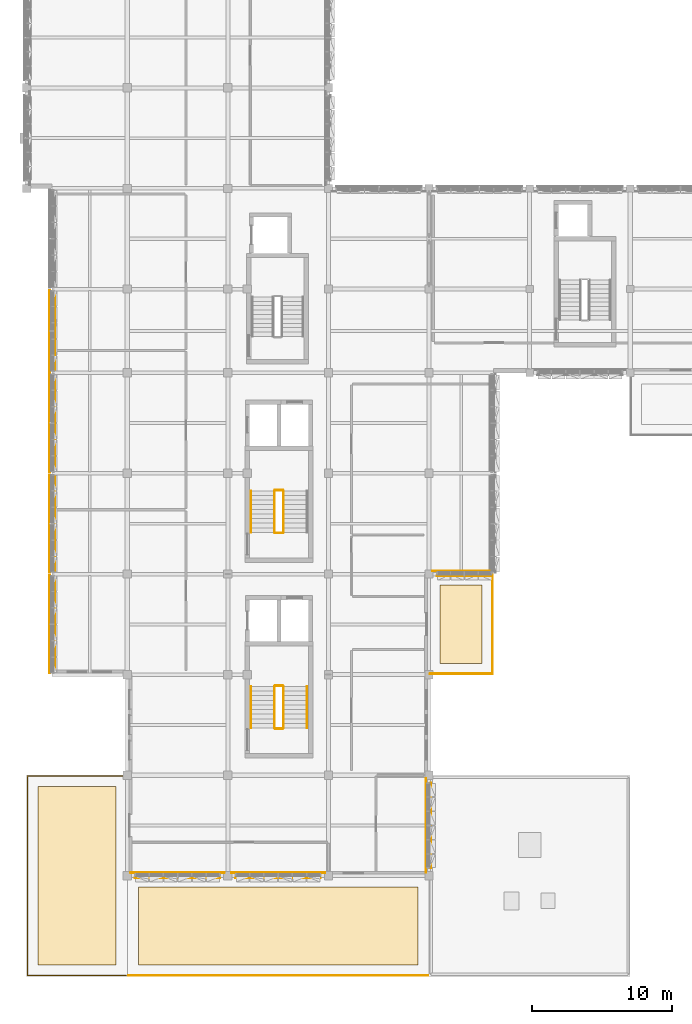
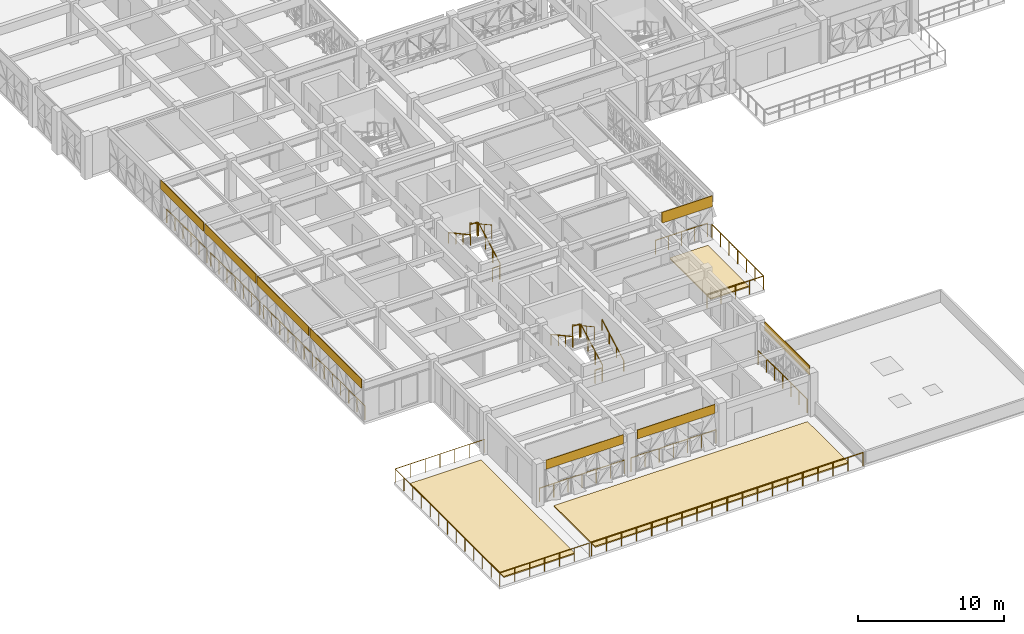
# One storey, part 60 of 74: 23 railings, 11 coverings.
"""IFC4 building model written with IfcOpenShell, lengths in metres."""

from ifc_helpers import new_model, si_unit, direction, frame, origin, origin_2d, place, context, subcontext, project, spatial, polyline, circle, outline, extrude, material, layer, layer_set, type_object, element, save


model = new_model("IFC4")

# Units and contexts
model_context = context("Model", 3, precision=1e-05, world=origin(), true_north=direction((0.0, 1.0)))
body_context = subcontext(model_context, "Body", "Model", "MODEL_VIEW")
ifc_project = project(units=[si_unit("LENGTHUNIT", "METRE"), si_unit("AREAUNIT", "SQUARE_METRE"), si_unit("VOLUMEUNIT", "CUBIC_METRE"), si_unit("PLANEANGLEUNIT", "RADIAN"), si_unit("MASSUNIT", "GRAM", prefix="KILO")], contexts=[model_context])

# Site, building, storey
site_placement = place(None, origin())
site = spatial("IfcSite", under=ifc_project, at=site_placement, CompositionType="ELEMENT")
building_placement = place(site_placement, origin())
building = spatial("IfcBuilding", under=site, at=building_placement, Name="Alvorim Cloister Faculty of Sciences", CompositionType="ELEMENT")
storey_placement = place(building_placement, frame((0.0, 0.0, 15.75)))
storey = spatial("IfcBuildingStorey", under=building, at=storey_placement, Name="L04", CompositionType="ELEMENT", Elevation=15.75)

# Coverings
ifc_material_1 = material(Name="Anodised Aluminium Alloy 6063-T6", Category="aluminium")
ifc_layer_1 = layer(ifc_material_1, 0.031982421875)
ifc_layer_set_1 = layer_set([ifc_layer_1], Name="Anodised Aluminium Alloy 6063-T6")
covering_type_1 = type_object("IfcCoveringType", Name="COV-FAC-CAS", PredefinedType="CLADDING", material=ifc_layer_set_1)
for number, where, z_axis, x_axis, name in (
    (1, (1.64990234375, 21.679931640625, 2.8369140625), (0.0, 0.0, 1.0), (0.0, 1.0, 0.0), "L04 Shifted Bar Slab-Edge Architectural Fascia"),
    (2, (1.64990234375, 28.8798828125, 2.8369140625), (0.0, 0.0, 1.0), (0.0, 1.0, 0.0), "L04 Shifted Bar Slab-Edge Architectural Fascia"),
    (3, (1.64990234375, 36.080078125, 2.8369140625), (0.0, 0.0, 1.0), (0.0, 1.0, 0.0), "L04 Shifted Bar Slab-Edge Architectural Fascia"),
):
    element("IfcCovering", number, at=place(storey_placement, frame(where, z_axis=z_axis, x_axis=x_axis)), inside=storey, type_object=covering_type_1, Name=name, PredefinedType="CLADDING", context=body_context, shape_type="SweptSolid", body=[
        extrude(outline(polyline([(0.0, 0.0), (7.0400390625, 0.0), (7.0400390625, 0.753173828125), (0.0, 0.753173828125), (0.0, 0.0)])), frame((0.0, 0.0224609375, 0.0), z_axis=(0.0, -1.0, 0.0), x_axis=(1.0, 0.0, 0.0)), (0.0, 0.0, 1.0), 0.044921875),
    ])
covering_1_placement = place(storey_placement, frame((1.64990234375, 43.280029296875, 2.8369140625), z_axis=(0.0, 0.0, 1.0), x_axis=(0.0, 1.0, 0.0)))
element("IfcCovering", 4, at=covering_1_placement, inside=storey, type_object=covering_type_1, Name="L04 Shifted Bar Slab-Edge Architectural Fascia", PredefinedType="CLADDING", context=body_context, shape_type="SweptSolid", body=[
    extrude(outline(polyline([(0.0, 0.0), (5.840087890625, 0.0), (5.840087890625, 0.753173828125), (0.0, 0.753173828125), (0.0, 0.0)])), frame((0.0, 0.0224609375, 0.0), z_axis=(0.0, -1.0, 0.0), x_axis=(1.0, 0.0, 0.0)), (0.0, 0.0, 1.0), 0.044921875),
])
covering_2_placement = place(storey_placement, frame((29.340087890625, 28.64990234375, 2.68603515625), z_axis=(0.0, 0.0, 1.0), x_axis=(1.0, 0.0, 0.0)))
element("IfcCovering", 5, at=covering_2_placement, inside=storey, type_object=covering_type_1, Name="L04 Shifted Bar Slab-Edge Architectural Fascia", PredefinedType="CLADDING", context=body_context, shape_type="SweptSolid", body=[
    extrude(outline(polyline([(0.0, 0.0), (3.97998046875, 0.0), (3.97998046875, 0.904052734375), (0.0, 0.904052734375), (0.0, 0.0)])), frame((0.0, 0.0224609375, 0.0), z_axis=(0.0, -1.0, 0.0), x_axis=(1.0, 0.0, 0.0)), (0.0, 0.0, 1.0), 0.044921875),
])
for number, where, z_axis, x_axis, name in (
    (6, (28.949951171875, 7.739990234375, 2.830078125), (0.0, 0.0, 1.0), (0.0, 1.0, 0.0), "L04 Shifted Bar Slab-Edge Architectural Fascia"),
    (7, (14.93994140625, 7.050048828125, 2.830078125), (0.0, 0.0, 1.0), (1.0, 0.0, 0.0), "L04 Shifted Bar Slab-Edge Architectural Fascia"),
    (8, (7.739990234375, 7.050048828125, 2.830078125), (0.0, 0.0, 1.0), (1.0, 0.0, 0.0), "L04 Shifted Bar Slab-Edge Architectural Fascia"),
):
    element("IfcCovering", number, at=place(storey_placement, frame(where, z_axis=z_axis, x_axis=x_axis)), inside=storey, type_object=covering_type_1, Name=name, PredefinedType="CLADDING", context=body_context, shape_type="SweptSolid", body=[
        extrude(outline(polyline([(0.0, 0.0), (6.1201171875, 0.0), (6.1201171875, 0.760009765625), (0.0, 0.760009765625), (0.0, 0.0)])), frame((0.0, 0.0224609375, 0.0), z_axis=(0.0, -1.0, 0.0), x_axis=(1.0, 0.0, 0.0)), (0.0, 0.0, 1.0), 0.044921875),
    ])
ifc_material_2 = material(Name="Intensive Vegetated Substrate", Category="earth")
ifc_layer_2 = layer(ifc_material_2, 0.10009765625)
ifc_layer_set_2 = layer_set([ifc_layer_2], Name="Intensive Vegetated Substrate")
covering_type_2 = type_object("IfcCoveringType", Name="COV-ROOF-GREEN", PredefinedType="ROOFING", material=ifc_layer_set_2)
covering_3_placement = place(storey_placement, origin())
element("IfcCovering", 9, at=covering_3_placement, inside=storey, type_object=covering_type_2, Name="L04 Corner Forecourt West Sky Garden Quota Ambiental Vegetated Substrate", PredefinedType="ROOFING", context=body_context, shape_type="SweptSolid", body=[
    extrude(outline(polyline([(0.800048828125, 0.800048828125), (6.39990234375, 0.800048828125), (6.39990234375, 13.60009765625), (0.800048828125, 13.60009765625), (0.800048828125, 0.800048828125)])), origin(), (0.0, 0.0, 1.0), 0.10009765625),
])
covering_4_placement = place(storey_placement, origin())
element("IfcCovering", 10, at=covering_4_placement, inside=storey, type_object=covering_type_2, Name="L04 Corner Forecourt South Sky Garden Quota Ambiental Vegetated Substrate", PredefinedType="ROOFING", context=body_context, shape_type="SweptSolid", body=[
    extrude(outline(polyline([(8.0, 0.800048828125), (28.0, 0.800048828125), (28.0, 6.39990234375), (8.0, 6.39990234375), (8.0, 0.800048828125)])), origin(), (0.0, 0.0, 1.0), 0.10009765625),
])
covering_5_placement = place(storey_placement, origin())
element("IfcCovering", 11, at=covering_5_placement, inside=storey, type_object=covering_type_2, Name="L04 East Cloister Cantilever Sky Terrace Quota Ambiental Vegetated Substrate", PredefinedType="ROOFING", context=body_context, shape_type="SweptSolid", body=[
    extrude(outline(polyline([(29.60009765625, 22.39990234375), (32.60009765625, 22.39990234375), (32.60009765625, 28.0), (29.60009765625, 28.0), (29.60009765625, 22.39990234375)])), origin(), (0.0, 0.0, 1.0), 0.10009765625),
])

# Railings
ifc_material_3 = material(Name="Laminated Safety Glass and Bronze", Category="glass")
railing_type_1 = type_object("IfcRailingType", Name="RL-ATR-BAL-1150", PredefinedType="BALUSTRADE", material=ifc_material_3)
for number, where, name in (
    (12, (2.02001953125, 21.85009765625, 0.0), "L04 Curtain Wall Sill Guard BL-159"),
    (13, (2.02001953125, 29.050048828125, 0.0), "L04 Curtain Wall Sill Guard BL-160"),
    (14, (2.02001953125, 36.25, 0.0), "L04 Curtain Wall Sill Guard BL-161"),
):
    element("IfcRailing", number, at=place(storey_placement, frame(where)), inside=storey, type_object=railing_type_1, Name=name, PredefinedType="BALUSTRADE", context=body_context, shape_type="SweptSolid", body=[
        extrude(circle(Radius=0.02392578125, at=origin_2d()), frame((0.0, 0.0, 1.1259765625), z_axis=(0.0, 1.0, 0.0), x_axis=(-1.0, 0.0, 0.0)), (0.0, 0.0, 1.0), 6.699951171875),
        extrude(circle(Radius=0.02099609375, at=origin_2d()), origin(), (0.0, 0.0, 1.0), 1.101806640625),
        extrude(circle(Radius=0.02099609375, at=origin_2d()), frame((0.0, 1.11669921875, 0.0)), (0.0, 0.0, 1.0), 1.101806640625),
        extrude(circle(Radius=0.02099609375, at=origin_2d()), frame((0.0, 2.2333984375, 0.0)), (0.0, 0.0, 1.0), 1.101806640625),
        extrude(circle(Radius=0.02099609375, at=origin_2d()), frame((0.0, 3.35009765625, 0.0)), (0.0, 0.0, 1.0), 1.101806640625),
        extrude(circle(Radius=0.02099609375, at=origin_2d()), frame((0.0, 4.466552734375, 0.0)), (0.0, 0.0, 1.0), 1.101806640625),
        extrude(circle(Radius=0.02099609375, at=origin_2d()), frame((0.0, 5.583251953125, 0.0)), (0.0, 0.0, 1.0), 1.101806640625),
        extrude(circle(Radius=0.02099609375, at=origin_2d()), frame((0.0, 6.699951171875, 0.0)), (0.0, 0.0, 1.0), 1.101806640625),
    ])
railing_1_placement = place(storey_placement, frame((2.02001953125, 43.449951171875, 0.0)))
element("IfcRailing", 15, at=railing_1_placement, inside=storey, type_object=railing_type_1, Name="L04 Curtain Wall Sill Guard BL-162", PredefinedType="BALUSTRADE", context=body_context, shape_type="SweptSolid", body=[
    extrude(circle(Radius=0.02392578125, at=origin_2d()), frame((0.0, 0.0, 1.1259765625), z_axis=(0.0, 1.0, 0.0), x_axis=(-1.0, 0.0, 0.0)), (0.0, 0.0, 1.0), 5.5),
    extrude(circle(Radius=0.02099609375, at=origin_2d()), origin(), (0.0, 0.0, 1.0), 1.101806640625),
    extrude(circle(Radius=0.02099609375, at=origin_2d()), frame((0.0, 1.10009765625, 0.0)), (0.0, 0.0, 1.0), 1.101806640625),
    extrude(circle(Radius=0.02099609375, at=origin_2d()), frame((0.0, 2.199951171875, 0.0)), (0.0, 0.0, 1.0), 1.101806640625),
    extrude(circle(Radius=0.02099609375, at=origin_2d()), frame((0.0, 3.300048828125, 0.0)), (0.0, 0.0, 1.0), 1.101806640625),
    extrude(circle(Radius=0.02099609375, at=origin_2d()), frame((0.0, 4.39990234375, 0.0)), (0.0, 0.0, 1.0), 1.101806640625),
    extrude(circle(Radius=0.02099609375, at=origin_2d()), frame((0.0, 5.5, 0.0)), (0.0, 0.0, 1.0), 1.101806640625),
])
railing_2_placement = place(storey_placement, frame((29.050048828125, 29.02001953125, 0.0)))
element("IfcRailing", 16, at=railing_2_placement, inside=storey, type_object=railing_type_1, Name="L04 Curtain Wall Sill Guard BL-193", PredefinedType="BALUSTRADE", context=body_context, shape_type="SweptSolid", body=[
    extrude(circle(Radius=0.02392578125, at=origin_2d()), frame((0.0, 0.0, 1.1259765625), z_axis=(1.0, 0.0, 0.0), x_axis=(0.0, 1.0, 0.0)), (0.0, 0.0, 1.0), 4.099853515625),
    extrude(circle(Radius=0.02099609375, at=origin_2d()), origin(), (0.0, 0.0, 1.0), 1.101806640625),
    extrude(circle(Radius=0.02099609375, at=origin_2d()), frame((1.02490234375, 0.0, 0.0)), (0.0, 0.0, 1.0), 1.101806640625),
    extrude(circle(Radius=0.02099609375, at=origin_2d()), frame((2.0498046875, 0.0, 0.0)), (0.0, 0.0, 1.0), 1.101806640625),
    extrude(circle(Radius=0.02099609375, at=origin_2d()), frame((3.074951171875, 0.0, 0.0)), (0.0, 0.0, 1.0), 1.101806640625),
    extrude(circle(Radius=0.02099609375, at=origin_2d()), frame((4.099853515625, 0.0, 0.0)), (0.0, 0.0, 1.0), 1.101806640625),
])
railing_3_placement = place(storey_placement, frame((28.580078125, 7.449951171875, 0.0)))
element("IfcRailing", 17, at=railing_3_placement, inside=storey, type_object=railing_type_1, Name="L04 Curtain Wall Sill Guard BL-194", PredefinedType="BALUSTRADE", context=body_context, shape_type="SweptSolid", body=[
    extrude(circle(Radius=0.02392578125, at=origin_2d()), frame((0.0, 0.0, 1.1259765625), z_axis=(0.0, 1.0, 0.0), x_axis=(-1.0, 0.0, 0.0)), (0.0, 0.0, 1.0), 6.699951171875),
    extrude(circle(Radius=0.02099609375, at=origin_2d()), origin(), (0.0, 0.0, 1.0), 1.101806640625),
    extrude(circle(Radius=0.02099609375, at=origin_2d()), frame((0.0, 1.11669921875, 0.0)), (0.0, 0.0, 1.0), 1.101806640625),
    extrude(circle(Radius=0.02099609375, at=origin_2d()), frame((0.0, 2.2333984375, 0.0)), (0.0, 0.0, 1.0), 1.101806640625),
    extrude(circle(Radius=0.02099609375, at=origin_2d()), frame((0.0, 3.35009765625, 0.0)), (0.0, 0.0, 1.0), 1.101806640625),
    extrude(circle(Radius=0.02099609375, at=origin_2d()), frame((0.0, 4.466552734375, 0.0)), (0.0, 0.0, 1.0), 1.101806640625),
    extrude(circle(Radius=0.02099609375, at=origin_2d()), frame((0.0, 5.583251953125, 0.0)), (0.0, 0.0, 1.0), 1.101806640625),
    extrude(circle(Radius=0.02099609375, at=origin_2d()), frame((0.0, 6.699951171875, 0.0)), (0.0, 0.0, 1.0), 1.101806640625),
])
railing_4_placement = place(storey_placement, frame((14.64990234375, 7.419921875, 0.0)))
element("IfcRailing", 18, at=railing_4_placement, inside=storey, type_object=railing_type_1, Name="L04 Curtain Wall Sill Guard BL-195", PredefinedType="BALUSTRADE", context=body_context, shape_type="SweptSolid", body=[
    extrude(circle(Radius=0.02392578125, at=origin_2d()), frame((0.0, 0.0, 1.1259765625), z_axis=(1.0, 0.0, 0.0), x_axis=(0.0, 1.0, 0.0)), (0.0, 0.0, 1.0), 6.7001953125),
    extrude(circle(Radius=0.02099609375, at=origin_2d()), origin(), (0.0, 0.0, 1.0), 1.101806640625),
    extrude(circle(Radius=0.02099609375, at=origin_2d()), frame((1.11669921875, 0.0, 0.0)), (0.0, 0.0, 1.0), 1.101806640625),
    extrude(circle(Radius=0.02099609375, at=origin_2d()), frame((2.2333984375, 0.0, 0.0)), (0.0, 0.0, 1.0), 1.101806640625),
    extrude(circle(Radius=0.02099609375, at=origin_2d()), frame((3.35009765625, 0.0, 0.0)), (0.0, 0.0, 1.0), 1.101806640625),
    extrude(circle(Radius=0.02099609375, at=origin_2d()), frame((4.466796875, 0.0, 0.0)), (0.0, 0.0, 1.0), 1.101806640625),
    extrude(circle(Radius=0.02099609375, at=origin_2d()), frame((5.58349609375, 0.0, 0.0)), (0.0, 0.0, 1.0), 1.101806640625),
    extrude(circle(Radius=0.02099609375, at=origin_2d()), frame((6.7001953125, 0.0, 0.0)), (0.0, 0.0, 1.0), 1.101806640625),
])
railing_5_placement = place(storey_placement, frame((7.449951171875, 7.419921875, 0.0)))
element("IfcRailing", 19, at=railing_5_placement, inside=storey, type_object=railing_type_1, Name="L04 Curtain Wall Sill Guard BL-196", PredefinedType="BALUSTRADE", context=body_context, shape_type="SweptSolid", body=[
    extrude(circle(Radius=0.02392578125, at=origin_2d()), frame((0.0, 0.0, 1.1259765625), z_axis=(1.0, 0.0, 0.0), x_axis=(0.0, 1.0, 0.0)), (0.0, 0.0, 1.0), 6.699951171875),
    extrude(circle(Radius=0.02099609375, at=origin_2d()), origin(), (0.0, 0.0, 1.0), 1.101806640625),
    extrude(circle(Radius=0.02099609375, at=origin_2d()), frame((1.11669921875, 0.0, 0.0)), (0.0, 0.0, 1.0), 1.101806640625),
    extrude(circle(Radius=0.02099609375, at=origin_2d()), frame((2.2333984375, 0.0, 0.0)), (0.0, 0.0, 1.0), 1.101806640625),
    extrude(circle(Radius=0.02099609375, at=origin_2d()), frame((3.35009765625, 0.0, 0.0)), (0.0, 0.0, 1.0), 1.101806640625),
    extrude(circle(Radius=0.02099609375, at=origin_2d()), frame((4.466552734375, 0.0, 0.0)), (0.0, 0.0, 1.0), 1.101806640625),
    extrude(circle(Radius=0.02099609375, at=origin_2d()), frame((5.583251953125, 0.0, 0.0)), (0.0, 0.0, 1.0), 1.101806640625),
    extrude(circle(Radius=0.02099609375, at=origin_2d()), frame((6.699951171875, 0.0, 0.0)), (0.0, 0.0, 1.0), 1.101806640625),
])
ifc_material_4 = material(Name="Galvanised Painted Steel", Category="steel")
railing_type_2 = type_object("IfcRailingType", Name="RL-PAR-GUARD-1150", PredefinedType="GUARDRAIL", material=ifc_material_4)
railing_6_placement = place(storey_placement, frame((7.280029296875, 0.06005859375, 0.0)))
element("IfcRailing", 20, at=railing_6_placement, inside=storey, type_object=railing_type_2, Name="L04 Corner Forecourt South Sky Garden Perimeter Guard GR-302", PredefinedType="GUARDRAIL", context=body_context, shape_type="SweptSolid", body=[
    extrude(circle(Radius=0.02392578125, at=origin_2d()), frame((0.0, 0.0, 1.1259765625), z_axis=(1.0, 0.0, 0.0), x_axis=(0.0, 1.0, 0.0)), (0.0, 0.0, 1.0), 21.43994140625),
    extrude(circle(Radius=0.02099609375, at=origin_2d()), origin(), (0.0, 0.0, 1.0), 1.101806640625),
    extrude(circle(Radius=0.02099609375, at=origin_2d()), frame((1.191162109375, 0.0, 0.0)), (0.0, 0.0, 1.0), 1.101806640625),
    extrude(circle(Radius=0.02099609375, at=origin_2d()), frame((2.38232421875, 0.0, 0.0)), (0.0, 0.0, 1.0), 1.101806640625),
    extrude(circle(Radius=0.02099609375, at=origin_2d()), frame((3.5732421875, 0.0, 0.0)), (0.0, 0.0, 1.0), 1.101806640625),
    extrude(circle(Radius=0.02099609375, at=origin_2d()), frame((4.764404296875, 0.0, 0.0)), (0.0, 0.0, 1.0), 1.101806640625),
    extrude(circle(Radius=0.02099609375, at=origin_2d()), frame((5.95556640625, 0.0, 0.0)), (0.0, 0.0, 1.0), 1.101806640625),
    extrude(circle(Radius=0.02099609375, at=origin_2d()), frame((7.146728515625, 0.0, 0.0)), (0.0, 0.0, 1.0), 1.101806640625),
    extrude(circle(Radius=0.02099609375, at=origin_2d()), frame((8.337646484375, 0.0, 0.0)), (0.0, 0.0, 1.0), 1.101806640625),
    extrude(circle(Radius=0.02099609375, at=origin_2d()), frame((9.52880859375, 0.0, 0.0)), (0.0, 0.0, 1.0), 1.101806640625),
    extrude(circle(Radius=0.02099609375, at=origin_2d()), frame((10.719970703125, 0.0, 0.0)), (0.0, 0.0, 1.0), 1.101806640625),
    extrude(circle(Radius=0.02099609375, at=origin_2d()), frame((11.9111328125, 0.0, 0.0)), (0.0, 0.0, 1.0), 1.101806640625),
    extrude(circle(Radius=0.02099609375, at=origin_2d()), frame((13.102294921875, 0.0, 0.0)), (0.0, 0.0, 1.0), 1.101806640625),
    extrude(circle(Radius=0.02099609375, at=origin_2d()), frame((14.293212890625, 0.0, 0.0)), (0.0, 0.0, 1.0), 1.101806640625),
    extrude(circle(Radius=0.02099609375, at=origin_2d()), frame((15.484375, 0.0, 0.0)), (0.0, 0.0, 1.0), 1.101806640625),
    extrude(circle(Radius=0.02099609375, at=origin_2d()), frame((16.675537109375, 0.0, 0.0)), (0.0, 0.0, 1.0), 1.101806640625),
    extrude(circle(Radius=0.02099609375, at=origin_2d()), frame((17.86669921875, 0.0, 0.0)), (0.0, 0.0, 1.0), 1.101806640625),
    extrude(circle(Radius=0.02099609375, at=origin_2d()), frame((19.0576171875, 0.0, 0.0)), (0.0, 0.0, 1.0), 1.101806640625),
    extrude(circle(Radius=0.02099609375, at=origin_2d()), frame((20.248779296875, 0.0, 0.0)), (0.0, 0.0, 1.0), 1.101806640625),
    extrude(circle(Radius=0.02099609375, at=origin_2d()), frame((21.43994140625, 0.0, 0.0)), (0.0, 0.0, 1.0), 1.101806640625),
])
railing_type_3 = type_object("IfcRailingType", Name="RL-STR-GUARD", PredefinedType="GUARDRAIL", material=ifc_material_4)
railing_7_placement = place(storey_placement, frame((18.389892578125, 17.780029296875, 0.179931640625)))
element("IfcRailing", 21, at=railing_7_placement, inside=storey, type_object=railing_type_3, Name="L04 ST-01 stair guard 1", PredefinedType="GUARDRAIL", context=body_context, shape_type="SweptSolid", body=[
    extrude(circle(Radius=0.02392578125, at=origin_2d()), frame((0.0, 0.0, 1.09619140625), z_axis=(0.0, 0.877879025156, 0.47888246699), x_axis=(-1.0, 0.0, 0.0)), (0.0, 0.0, 1.0), 3.383056640625),
    extrude(circle(Radius=0.02099609375, at=origin_2d()), origin(), (0.0, 0.0, 1.0), 1.072021484375),
    extrude(circle(Radius=0.02099609375, at=origin_2d()), frame((0.0, 0.989990234375, 0.5400390625)), (0.0, 0.0, 1.0), 1.072021484375),
    extrude(circle(Radius=0.02099609375, at=origin_2d()), frame((0.0, 1.97998046875, 1.080078125)), (0.0, 0.0, 1.0), 1.072021484375),
    extrude(circle(Radius=0.02099609375, at=origin_2d()), frame((0.0, 2.969970703125, 1.6201171875)), (0.0, 0.0, 1.0), 1.072021484375),
])
railing_8_placement = place(storey_placement, frame((18.340087890625, 20.800048828125, 1.800048828125)))
element("IfcRailing", 22, at=railing_8_placement, inside=storey, type_object=railing_type_3, Name="L04 ST-01 stair guard 2", PredefinedType="GUARDRAIL", context=body_context, shape_type="SweptSolid", body=[
    extrude(circle(Radius=0.02392578125, at=origin_2d()), frame((0.0, 0.0, 1.09619140625), z_axis=(-1.0, 0.0, 0.0), x_axis=(0.0, -1.0, 0.0)), (0.0, 0.0, 1.0), 0.56005859375),
    extrude(circle(Radius=0.02099609375, at=origin_2d()), origin(), (0.0, 0.0, 1.0), 1.072021484375),
    extrude(circle(Radius=0.02099609375, at=origin_2d()), frame((-0.56005859375, 0.0, 0.0)), (0.0, 0.0, 1.0), 1.072021484375),
])
railing_9_placement = place(storey_placement, frame((17.72998046875, 20.75, 1.97998046875)))
element("IfcRailing", 23, at=railing_9_placement, inside=storey, type_object=railing_type_3, Name="L04 ST-01 stair guard 3", PredefinedType="GUARDRAIL", context=body_context, shape_type="SweptSolid", body=[
    extrude(circle(Radius=0.02392578125, at=origin_2d()), frame((0.0, 0.0, 1.09619140625), z_axis=(0.0, -0.877879025156, 0.47888246699), x_axis=(1.0, 0.0, 0.0)), (0.0, 0.0, 1.0), 3.383056640625),
    extrude(circle(Radius=0.02099609375, at=origin_2d()), origin(), (0.0, 0.0, 1.0), 1.072021484375),
    extrude(circle(Radius=0.02099609375, at=origin_2d()), frame((0.0, -0.989990234375, 0.5400390625)), (0.0, 0.0, 1.0), 1.072021484375),
    extrude(circle(Radius=0.02099609375, at=origin_2d()), frame((0.0, -1.97998046875, 1.080078125)), (0.0, 0.0, 1.0), 1.072021484375),
    extrude(circle(Radius=0.02099609375, at=origin_2d()), frame((0.0, -2.969970703125, 1.6201171875)), (0.0, 0.0, 1.0), 1.072021484375),
])
railing_10_placement = place(storey_placement, frame((18.340087890625, 17.72998046875, 0.0)))
element("IfcRailing", 24, at=railing_10_placement, inside=storey, type_object=railing_type_3, Name="L04 ST-01 stair guard 4", PredefinedType="GUARDRAIL", context=body_context, shape_type="SweptSolid", body=[
    extrude(circle(Radius=0.02392578125, at=origin_2d()), frame((0.0, 0.0, 1.09619140625), z_axis=(-1.0, 0.0, 0.0), x_axis=(0.0, -1.0, 0.0)), (0.0, 0.0, 1.0), 0.56005859375),
    extrude(circle(Radius=0.02099609375, at=origin_2d()), origin(), (0.0, 0.0, 1.0), 1.072021484375),
    extrude(circle(Radius=0.02099609375, at=origin_2d()), frame((-0.56005859375, 0.0, 0.0)), (0.0, 0.0, 1.0), 1.072021484375),
])
railing_11_placement = place(storey_placement, frame((18.389892578125, 31.780029296875, 0.179931640625)))
element("IfcRailing", 25, at=railing_11_placement, inside=storey, type_object=railing_type_3, Name="L04 ST-02 stair guard 1", PredefinedType="GUARDRAIL", context=body_context, shape_type="SweptSolid", body=[
    extrude(circle(Radius=0.02392578125, at=origin_2d()), frame((0.0, 0.0, 1.09619140625), z_axis=(0.0, 0.877879025156, 0.47888246699), x_axis=(-1.0, 0.0, 0.0)), (0.0, 0.0, 1.0), 3.383056640625),
    extrude(circle(Radius=0.02099609375, at=origin_2d()), origin(), (0.0, 0.0, 1.0), 1.072021484375),
    extrude(circle(Radius=0.02099609375, at=origin_2d()), frame((0.0, 0.989990234375, 0.5400390625)), (0.0, 0.0, 1.0), 1.072021484375),
    extrude(circle(Radius=0.02099609375, at=origin_2d()), frame((0.0, 1.97998046875, 1.080078125)), (0.0, 0.0, 1.0), 1.072021484375),
    extrude(circle(Radius=0.02099609375, at=origin_2d()), frame((0.0, 2.969970703125, 1.6201171875)), (0.0, 0.0, 1.0), 1.072021484375),
])
railing_12_placement = place(storey_placement, frame((18.340087890625, 34.800048828125, 1.800048828125)))
element("IfcRailing", 26, at=railing_12_placement, inside=storey, type_object=railing_type_3, Name="L04 ST-02 stair guard 2", PredefinedType="GUARDRAIL", context=body_context, shape_type="SweptSolid", body=[
    extrude(circle(Radius=0.02392578125, at=origin_2d()), frame((0.0, 0.0, 1.09619140625), z_axis=(-1.0, 0.0, 0.0), x_axis=(0.0, -1.0, 0.0)), (0.0, 0.0, 1.0), 0.56005859375),
    extrude(circle(Radius=0.02099609375, at=origin_2d()), origin(), (0.0, 0.0, 1.0), 1.072021484375),
    extrude(circle(Radius=0.02099609375, at=origin_2d()), frame((-0.56005859375, 0.0, 0.0)), (0.0, 0.0, 1.0), 1.072021484375),
])
railing_13_placement = place(storey_placement, frame((17.72998046875, 34.75, 1.97998046875)))
element("IfcRailing", 27, at=railing_13_placement, inside=storey, type_object=railing_type_3, Name="L04 ST-02 stair guard 3", PredefinedType="GUARDRAIL", context=body_context, shape_type="SweptSolid", body=[
    extrude(circle(Radius=0.02392578125, at=origin_2d()), frame((0.0, 0.0, 1.09619140625), z_axis=(0.0, -0.877879025156, 0.47888246699), x_axis=(1.0, 0.0, 0.0)), (0.0, 0.0, 1.0), 3.383056640625),
    extrude(circle(Radius=0.02099609375, at=origin_2d()), origin(), (0.0, 0.0, 1.0), 1.072021484375),
    extrude(circle(Radius=0.02099609375, at=origin_2d()), frame((0.0, -0.989990234375, 0.5400390625)), (0.0, 0.0, 1.0), 1.072021484375),
    extrude(circle(Radius=0.02099609375, at=origin_2d()), frame((0.0, -1.97998046875, 1.080078125)), (0.0, 0.0, 1.0), 1.072021484375),
    extrude(circle(Radius=0.02099609375, at=origin_2d()), frame((0.0, -2.969970703125, 1.6201171875)), (0.0, 0.0, 1.0), 1.072021484375),
])
railing_14_placement = place(storey_placement, frame((18.340087890625, 31.72998046875, 0.0)))
element("IfcRailing", 28, at=railing_14_placement, inside=storey, type_object=railing_type_3, Name="L04 ST-02 stair guard 4", PredefinedType="GUARDRAIL", context=body_context, shape_type="SweptSolid", body=[
    extrude(circle(Radius=0.02392578125, at=origin_2d()), frame((0.0, 0.0, 1.09619140625), z_axis=(-1.0, 0.0, 0.0), x_axis=(0.0, -1.0, 0.0)), (0.0, 0.0, 1.0), 0.56005859375),
    extrude(circle(Radius=0.02099609375, at=origin_2d()), origin(), (0.0, 0.0, 1.0), 1.072021484375),
    extrude(circle(Radius=0.02099609375, at=origin_2d()), frame((-0.56005859375, 0.0, 0.0)), (0.0, 0.0, 1.0), 1.072021484375),
])
ifc_material_5 = material(Name="Brushed Stainless Steel", Category="steel")
railing_type_4 = type_object("IfcRailingType", Name="RL-STR-HAND", PredefinedType="HANDRAIL", material=ifc_material_5)
railing_15_placement = place(storey_placement, frame((20.070068359375, 17.780029296875, 0.179931640625)))
element("IfcRailing", 29, at=railing_15_placement, inside=storey, type_object=railing_type_4, Name="L04 ST-01 stair handrail 1", PredefinedType="HANDRAIL", context=body_context, shape_type="SweptSolid", body=[
    extrude(circle(Radius=0.02392578125, at=origin_2d()), frame((0.0, 0.0, 0.8759765625), z_axis=(0.0, 0.877879025156, 0.47888246699), x_axis=(-1.0, 0.0, 0.0)), (0.0, 0.0, 1.0), 3.383056640625),
    extrude(circle(Radius=0.02099609375, at=origin_2d()), origin(), (0.0, 0.0, 1.0), 0.851806640625),
    extrude(circle(Radius=0.02099609375, at=origin_2d()), frame((0.0, 0.989990234375, 0.5400390625)), (0.0, 0.0, 1.0), 0.851806640625),
    extrude(circle(Radius=0.02099609375, at=origin_2d()), frame((0.0, 1.97998046875, 1.080078125)), (0.0, 0.0, 1.0), 0.851806640625),
    extrude(circle(Radius=0.02099609375, at=origin_2d()), frame((0.0, 2.969970703125, 1.6201171875)), (0.0, 0.0, 1.0), 0.851806640625),
])
for number, where, name in (
    (30, (16.050048828125, 20.75, 1.97998046875), "L04 ST-01 stair handrail 2"),
    (31, (16.050048828125, 34.75, 1.97998046875), "L04 ST-02 stair handrail 2"),
):
    element("IfcRailing", number, at=place(storey_placement, frame(where)), inside=storey, type_object=railing_type_4, Name=name, PredefinedType="HANDRAIL", context=body_context, shape_type="SweptSolid", body=[
        extrude(circle(Radius=0.02392578125, at=origin_2d()), frame((0.0, 0.0, 0.8759765625), z_axis=(0.0, -0.877879025156, 0.47888246699), x_axis=(1.0, 0.0, 0.0)), (0.0, 0.0, 1.0), 3.383056640625),
        extrude(circle(Radius=0.02099609375, at=origin_2d()), origin(), (0.0, 0.0, 1.0), 0.851806640625),
        extrude(circle(Radius=0.02099609375, at=origin_2d()), frame((0.0, -0.989990234375, 0.5400390625)), (0.0, 0.0, 1.0), 0.851806640625),
        extrude(circle(Radius=0.02099609375, at=origin_2d()), frame((0.0, -1.97998046875, 1.080078125)), (0.0, 0.0, 1.0), 0.851806640625),
        extrude(circle(Radius=0.02099609375, at=origin_2d()), frame((0.0, -2.969970703125, 1.6201171875)), (0.0, 0.0, 1.0), 0.851806640625),
    ])
railing_type_5 = type_object("IfcRailingType", Name="RL-TER-GUARD-1150", PredefinedType="GUARDRAIL", material=ifc_material_4)
railing_16_placement = place(storey_placement, frame((7.1201171875, 14.340087890625, 0.0)))
element("IfcRailing", 32, at=railing_16_placement, inside=storey, type_object=railing_type_5, Name="L04 Corner Forecourt West Sky Garden Perimeter Guard GR-301", PredefinedType="GUARDRAIL", context=body_context, shape_type="SweptSolid", body=[
    extrude(circle(Radius=0.02392578125, at=origin_2d()), frame((0.0, 0.0, 1.1259765625), z_axis=(-1.0, 0.0, 0.0), x_axis=(0.0, -1.0, 0.0)), (0.0, 0.0, 1.0), 7.06005859375),
    extrude(circle(Radius=0.02392578125, at=origin_2d()), frame((-7.06005859375, 0.0, 1.1259765625), z_axis=(0.0, -1.0, 0.0), x_axis=(1.0, 0.0, 0.0)), (0.0, 0.0, 1.0), 14.280029296875),
    extrude(circle(Radius=0.02392578125, at=origin_2d()), frame((-7.06005859375, -14.280029296875, 1.1259765625), z_axis=(1.0, 0.0, 0.0), x_axis=(0.0, 1.0, 0.0)), (0.0, 0.0, 1.0), 7.06005859375),
    extrude(circle(Radius=0.02099609375, at=origin_2d()), origin(), (0.0, 0.0, 1.0), 1.101806640625),
    extrude(circle(Radius=0.02099609375, at=origin_2d()), frame((-1.1767578125, 0.0, 0.0)), (0.0, 0.0, 1.0), 1.101806640625),
    extrude(circle(Radius=0.02099609375, at=origin_2d()), frame((-2.353271484375, 0.0, 0.0)), (0.0, 0.0, 1.0), 1.101806640625),
    extrude(circle(Radius=0.02099609375, at=origin_2d()), frame((-3.530029296875, 0.0, 0.0)), (0.0, 0.0, 1.0), 1.101806640625),
    extrude(circle(Radius=0.02099609375, at=origin_2d()), frame((-4.706787109375, 0.0, 0.0)), (0.0, 0.0, 1.0), 1.101806640625),
    extrude(circle(Radius=0.02099609375, at=origin_2d()), frame((-5.88330078125, 0.0, 0.0)), (0.0, 0.0, 1.0), 1.101806640625),
    extrude(circle(Radius=0.02099609375, at=origin_2d()), frame((-7.06005859375, 0.0, 0.0)), (0.0, 0.0, 1.0), 1.101806640625),
    extrude(circle(Radius=0.02099609375, at=origin_2d()), frame((-7.06005859375, -1.18994140625, 0.0)), (0.0, 0.0, 1.0), 1.101806640625),
    extrude(circle(Radius=0.02099609375, at=origin_2d()), frame((-7.06005859375, -2.3798828125, 0.0)), (0.0, 0.0, 1.0), 1.101806640625),
    extrude(circle(Radius=0.02099609375, at=origin_2d()), frame((-7.06005859375, -3.570068359375, 0.0)), (0.0, 0.0, 1.0), 1.101806640625),
    extrude(circle(Radius=0.02099609375, at=origin_2d()), frame((-7.06005859375, -4.760009765625, 0.0)), (0.0, 0.0, 1.0), 1.101806640625),
    extrude(circle(Radius=0.02099609375, at=origin_2d()), frame((-7.06005859375, -5.949951171875, 0.0)), (0.0, 0.0, 1.0), 1.101806640625),
    extrude(circle(Radius=0.02099609375, at=origin_2d()), frame((-7.06005859375, -7.14013671875, 0.0)), (0.0, 0.0, 1.0), 1.101806640625),
    extrude(circle(Radius=0.02099609375, at=origin_2d()), frame((-7.06005859375, -8.330078125, 0.0)), (0.0, 0.0, 1.0), 1.101806640625),
    extrude(circle(Radius=0.02099609375, at=origin_2d()), frame((-7.06005859375, -9.52001953125, 0.0)), (0.0, 0.0, 1.0), 1.101806640625),
    extrude(circle(Radius=0.02099609375, at=origin_2d()), frame((-7.06005859375, -10.7099609375, 0.0)), (0.0, 0.0, 1.0), 1.101806640625),
    extrude(circle(Radius=0.02099609375, at=origin_2d()), frame((-7.06005859375, -11.89990234375, 0.0)), (0.0, 0.0, 1.0), 1.101806640625),
    extrude(circle(Radius=0.02099609375, at=origin_2d()), frame((-7.06005859375, -13.090087890625, 0.0)), (0.0, 0.0, 1.0), 1.101806640625),
    extrude(circle(Radius=0.02099609375, at=origin_2d()), frame((-7.06005859375, -14.280029296875, 0.0)), (0.0, 0.0, 1.0), 1.101806640625),
    extrude(circle(Radius=0.02099609375, at=origin_2d()), frame((-5.88330078125, -14.280029296875, 0.0)), (0.0, 0.0, 1.0), 1.101806640625),
    extrude(circle(Radius=0.02099609375, at=origin_2d()), frame((-4.706787109375, -14.280029296875, 0.0)), (0.0, 0.0, 1.0), 1.101806640625),
    extrude(circle(Radius=0.02099609375, at=origin_2d()), frame((-3.530029296875, -14.280029296875, 0.0)), (0.0, 0.0, 1.0), 1.101806640625),
    extrude(circle(Radius=0.02099609375, at=origin_2d()), frame((-2.353271484375, -14.280029296875, 0.0)), (0.0, 0.0, 1.0), 1.101806640625),
    extrude(circle(Radius=0.02099609375, at=origin_2d()), frame((-1.1767578125, -14.280029296875, 0.0)), (0.0, 0.0, 1.0), 1.101806640625),
    extrude(circle(Radius=0.02099609375, at=origin_2d()), frame((0.0, -14.280029296875, 0.0)), (0.0, 0.0, 1.0), 1.101806640625),
])
railing_17_placement = place(storey_placement, frame((33.340087890625, 21.659912109375, 0.0)))
element("IfcRailing", 33, at=railing_17_placement, inside=storey, type_object=railing_type_5, Name="L04 East Cloister Cantilever Sky Terrace Perimeter Guard GR-303", PredefinedType="GUARDRAIL", context=body_context, shape_type="SweptSolid", body=[
    extrude(circle(Radius=0.02392578125, at=origin_2d()), frame((0.0, 0.0, 1.1259765625), z_axis=(0.0, 1.0, 0.0), x_axis=(-1.0, 0.0, 0.0)), (0.0, 0.0, 1.0), 7.06005859375),
    extrude(circle(Radius=0.02099609375, at=origin_2d()), origin(), (0.0, 0.0, 1.0), 1.101806640625),
    extrude(circle(Radius=0.02099609375, at=origin_2d()), frame((0.0, 1.1767578125, 0.0)), (0.0, 0.0, 1.0), 1.101806640625),
    extrude(circle(Radius=0.02099609375, at=origin_2d()), frame((0.0, 2.353271484375, 0.0)), (0.0, 0.0, 1.0), 1.101806640625),
    extrude(circle(Radius=0.02099609375, at=origin_2d()), frame((0.0, 3.530029296875, 0.0)), (0.0, 0.0, 1.0), 1.101806640625),
    extrude(circle(Radius=0.02099609375, at=origin_2d()), frame((0.0, 4.706787109375, 0.0)), (0.0, 0.0, 1.0), 1.101806640625),
    extrude(circle(Radius=0.02099609375, at=origin_2d()), frame((0.0, 5.88330078125, 0.0)), (0.0, 0.0, 1.0), 1.101806640625),
    extrude(circle(Radius=0.02099609375, at=origin_2d()), frame((0.0, 7.06005859375, 0.0)), (0.0, 0.0, 1.0), 1.101806640625),
])
railing_18_placement = place(storey_placement, frame((28.8798828125, 21.659912109375, 0.0)))
element("IfcRailing", 34, at=railing_18_placement, inside=storey, type_object=railing_type_5, Name="L04 East Cloister Cantilever Sky Terrace Perimeter Guard GR-304", PredefinedType="GUARDRAIL", context=body_context, shape_type="SweptSolid", body=[
    extrude(circle(Radius=0.02392578125, at=origin_2d()), frame((0.0, 0.0, 1.1259765625), z_axis=(1.0, 0.0, 0.0), x_axis=(0.0, 1.0, 0.0)), (0.0, 0.0, 1.0), 4.460205078125),
    extrude(circle(Radius=0.02099609375, at=origin_2d()), origin(), (0.0, 0.0, 1.0), 1.101806640625),
    extrude(circle(Radius=0.02099609375, at=origin_2d()), frame((1.114990234375, 0.0, 0.0)), (0.0, 0.0, 1.0), 1.101806640625),
    extrude(circle(Radius=0.02099609375, at=origin_2d()), frame((2.22998046875, 0.0, 0.0)), (0.0, 0.0, 1.0), 1.101806640625),
    extrude(circle(Radius=0.02099609375, at=origin_2d()), frame((3.34521484375, 0.0, 0.0)), (0.0, 0.0, 1.0), 1.101806640625),
    extrude(circle(Radius=0.02099609375, at=origin_2d()), frame((4.460205078125, 0.0, 0.0)), (0.0, 0.0, 1.0), 1.101806640625),
])

save(model, "model.ifc")
